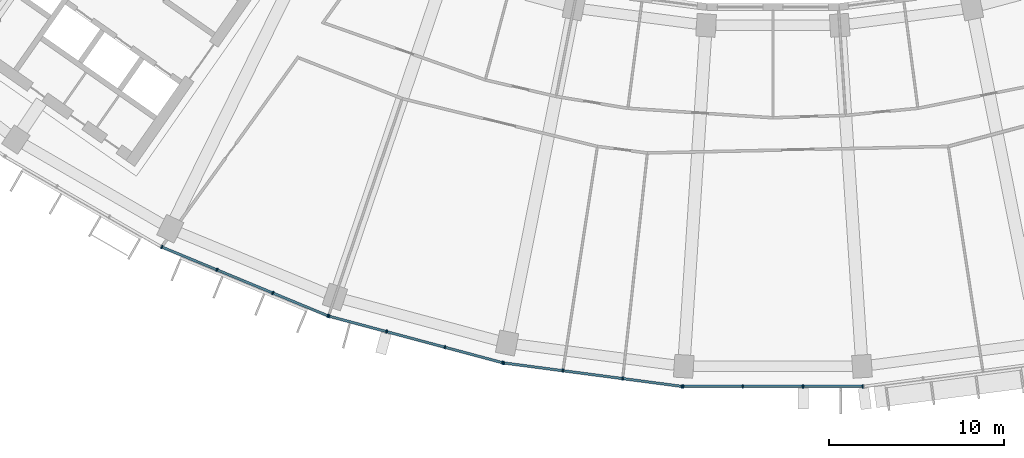
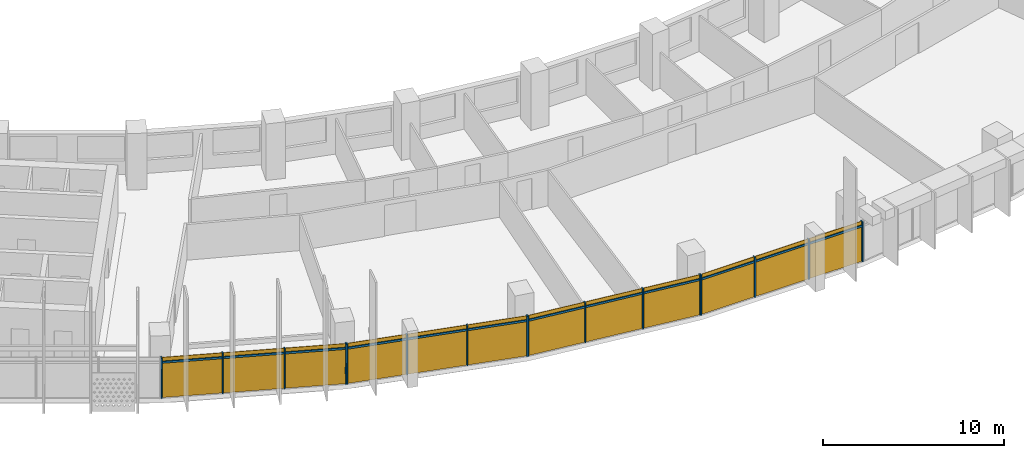
# One storey, part 20 of 27: 28 members, 4 curtain walls.
"""IFC4 building model written with IfcOpenShell, lengths in metres."""

from ifc_helpers import new_model, si_unit, direction, frame, origin, origin_2d, place, context, subcontext, project, spatial, rectangle, extrude, material, material_profile, profile_set, type_object, element, aggregate, save


model = new_model("IFC4")

# Units and contexts
model_context = context("Model", 3, precision=1e-05, world=origin(), true_north=direction((0.0, 1.0)))
body_context = subcontext(model_context, "Body", "Model", "MODEL_VIEW")
ifc_project = project(units=[si_unit("LENGTHUNIT", "METRE"), si_unit("AREAUNIT", "SQUARE_METRE"), si_unit("VOLUMEUNIT", "CUBIC_METRE"), si_unit("PLANEANGLEUNIT", "RADIAN"), si_unit("MASSUNIT", "GRAM", prefix="KILO")], contexts=[model_context])

# Member
ifc_material = material(Name="Aluminium 6063-T6 anodised", Category="aluminium")
ifc_material_profile_1 = material_profile(ifc_material, rectangle(XDim=0.199951171875, YDim=0.070068359375, at=origin_2d()))
ifc_profile_set_1 = profile_set([ifc_material_profile_1], Name="Aluminium 6063-T6 anodised")
member_type_1 = type_object("IfcMemberType", Name="Mullion 70 x 200 aluminium", PredefinedType="MULLION", material=ifc_profile_set_1)
site_placement = place(None, origin())
building_placement = place(site_placement, origin())
storey_placement = place(building_placement, frame((0.0, 0.0, 179.699951171875)))
member_1_placement = place(storey_placement, frame((-34.8701171875, -70.77392578125, 0.0), z_axis=(0.0, 0.0, 1.0), x_axis=(0.382683432365, 0.923879532511, 0.0)))
member_1 = element("IfcMember", 1, at=member_1_placement, type_object=member_type_1, Name="e-cw1-L42-out04/M00", PredefinedType="MULLION", context=body_context, shape_type="SweptSolid", body=[
    extrude(rectangle(XDim=0.199951171875, YDim=0.070068359375, at=origin_2d()), origin(), (0.0, 0.0, 1.0), 2.699951171875),
])

member_2_placement = place(storey_placement, frame((-31.72021484375, -72.078857421875, 0.0), z_axis=(0.0, 0.0, 1.0), x_axis=(0.382683432365, 0.923879532511, 0.0)))
member_2 = element("IfcMember", 2, at=member_2_placement, type_object=member_type_1, Name="e-cw1-L42-out04/M01", PredefinedType="MULLION", context=body_context, shape_type="SweptSolid", body=[
    extrude(rectangle(XDim=0.199951171875, YDim=0.070068359375, at=origin_2d()), origin(), (0.0, 0.0, 1.0), 2.699951171875),
])

member_3_placement = place(storey_placement, frame((-28.537841796875, -73.39697265625, 0.0), z_axis=(0.0, 0.0, 1.0), x_axis=(0.382683432365, 0.923879532511, 0.0)))
member_3 = element("IfcMember", 3, at=member_3_placement, type_object=member_type_1, Name="e-cw1-L42-out04/M02", PredefinedType="MULLION", context=body_context, shape_type="SweptSolid", body=[
    extrude(rectangle(XDim=0.199951171875, YDim=0.070068359375, at=origin_2d()), origin(), (0.0, 0.0, 1.0), 2.699951171875),
])

member_4_placement = place(storey_placement, frame((-25.3876953125, -74.70166015625, 0.0), z_axis=(0.0, 0.0, 1.0), x_axis=(0.382683432365, 0.923879532511, 0.0)))
member_4 = element("IfcMember", 4, at=member_4_placement, type_object=member_type_1, Name="e-cw1-L42-out04/M03", PredefinedType="MULLION", context=body_context, shape_type="SweptSolid", body=[
    extrude(rectangle(XDim=0.199951171875, YDim=0.070068359375, at=origin_2d()), origin(), (0.0, 0.0, 1.0), 2.699951171875),
])

member_5_placement = place(storey_placement, frame((-25.333984375, -74.719970703125, 0.0), z_axis=(0.0, 0.0, 1.0), x_axis=(0.258819045103, 0.965925826289, 0.0)))
member_5 = element("IfcMember", 5, at=member_5_placement, type_object=member_type_1, Name="e-cw1-L42-out05/M00", PredefinedType="MULLION", context=body_context, shape_type="SweptSolid", body=[
    extrude(rectangle(XDim=0.199951171875, YDim=0.070068359375, at=origin_2d()), origin(), (0.0, 0.0, 1.0), 2.699951171875),
])

member_6_placement = place(storey_placement, frame((-22.04052734375, -75.602294921875, 0.0), z_axis=(0.0, 0.0, 1.0), x_axis=(0.258819045103, 0.965925826289, 0.0)))
member_6 = element("IfcMember", 6, at=member_6_placement, type_object=member_type_1, Name="e-cw1-L42-out05/M01", PredefinedType="MULLION", context=body_context, shape_type="SweptSolid", body=[
    extrude(rectangle(XDim=0.199951171875, YDim=0.070068359375, at=origin_2d()), origin(), (0.0, 0.0, 1.0), 2.699951171875),
])

member_7_placement = place(storey_placement, frame((-18.71337890625, -76.493896484375, 0.0), z_axis=(0.0, 0.0, 1.0), x_axis=(0.258819045103, 0.965925826289, 0.0)))
member_7 = element("IfcMember", 7, at=member_7_placement, type_object=member_type_1, Name="e-cw1-L42-out05/M02", PredefinedType="MULLION", context=body_context, shape_type="SweptSolid", body=[
    extrude(rectangle(XDim=0.199951171875, YDim=0.070068359375, at=origin_2d()), origin(), (0.0, 0.0, 1.0), 2.699951171875),
])

member_8_placement = place(storey_placement, frame((-15.420166015625, -77.37646484375, 0.0), z_axis=(0.0, 0.0, 1.0), x_axis=(0.258819045103, 0.965925826289, 0.0)))
member_8 = element("IfcMember", 8, at=member_8_placement, type_object=member_type_1, Name="e-cw1-L42-out05/M03", PredefinedType="MULLION", context=body_context, shape_type="SweptSolid", body=[
    extrude(rectangle(XDim=0.199951171875, YDim=0.070068359375, at=origin_2d()), origin(), (0.0, 0.0, 1.0), 2.699951171875),
])

member_9_placement = place(storey_placement, frame((-15.364501953125, -77.387451171875, 0.0), z_axis=(0.0, 0.0, 1.0), x_axis=(0.13052619222, 0.991444861374, 0.0)))
member_9 = element("IfcMember", 9, at=member_9_placement, type_object=member_type_1, Name="e-cw1-L42-out06/M00", PredefinedType="MULLION", context=body_context, shape_type="SweptSolid", body=[
    extrude(rectangle(XDim=0.199951171875, YDim=0.070068359375, at=origin_2d()), origin(), (0.0, 0.0, 1.0), 2.699951171875),
])

member_10_placement = place(storey_placement, frame((-11.98388671875, -77.83251953125, 0.0), z_axis=(0.0, 0.0, 1.0), x_axis=(0.13052619222, 0.991444861374, 0.0)))
member_10 = element("IfcMember", 10, at=member_10_placement, type_object=member_type_1, Name="e-cw1-L42-out06/M01", PredefinedType="MULLION", context=body_context, shape_type="SweptSolid", body=[
    extrude(rectangle(XDim=0.199951171875, YDim=0.070068359375, at=origin_2d()), origin(), (0.0, 0.0, 1.0), 2.699951171875),
])

member_11_placement = place(storey_placement, frame((-8.56884765625, -78.2822265625, 0.0), z_axis=(0.0, 0.0, 1.0), x_axis=(0.13052619222, 0.991444861374, 0.0)))
member_11 = element("IfcMember", 11, at=member_11_placement, type_object=member_type_1, Name="e-cw1-L42-out06/M02", PredefinedType="MULLION", context=body_context, shape_type="SweptSolid", body=[
    extrude(rectangle(XDim=0.199951171875, YDim=0.070068359375, at=origin_2d()), origin(), (0.0, 0.0, 1.0), 2.699951171875),
])

member_12_placement = place(storey_placement, frame((-5.1884765625, -78.72705078125, 0.0), z_axis=(0.0, 0.0, 1.0), x_axis=(0.13052619222, 0.991444861374, 0.0)))
member_12 = element("IfcMember", 12, at=member_12_placement, type_object=member_type_1, Name="e-cw1-L42-out06/M03", PredefinedType="MULLION", context=body_context, shape_type="SweptSolid", body=[
    extrude(rectangle(XDim=0.199951171875, YDim=0.070068359375, at=origin_2d()), origin(), (0.0, 0.0, 1.0), 2.699951171875),
])

member_13_placement = place(storey_placement, frame((-5.1318359375, -78.73095703125, 0.0), z_axis=(0.0, 0.0, 1.0), x_axis=(0.0, 1.0, 0.0)))
member_13 = element("IfcMember", 13, at=member_13_placement, type_object=member_type_1, Name="e-cw1-L42-out07/M00", PredefinedType="MULLION", context=body_context, shape_type="SweptSolid", body=[
    extrude(rectangle(XDim=0.199951171875, YDim=0.070068359375, at=origin_2d()), origin(), (0.0, 0.0, 1.0), 2.699951171875),
])

member_14_placement = place(storey_placement, frame((-1.72216796875, -78.73095703125, 0.0), z_axis=(0.0, 0.0, 1.0), x_axis=(0.0, 1.0, 0.0)))
member_14 = element("IfcMember", 14, at=member_14_placement, type_object=member_type_1, Name="e-cw1-L42-out07/M01", PredefinedType="MULLION", context=body_context, shape_type="SweptSolid", body=[
    extrude(rectangle(XDim=0.199951171875, YDim=0.070068359375, at=origin_2d()), origin(), (0.0, 0.0, 1.0), 2.699951171875),
])

member_15_placement = place(storey_placement, frame((1.72216796875, -78.73095703125, 0.0), z_axis=(0.0, 0.0, 1.0), x_axis=(0.0, 1.0, 0.0)))
member_15 = element("IfcMember", 15, at=member_15_placement, type_object=member_type_1, Name="e-cw1-L42-out07/M02", PredefinedType="MULLION", context=body_context, shape_type="SweptSolid", body=[
    extrude(rectangle(XDim=0.199951171875, YDim=0.070068359375, at=origin_2d()), origin(), (0.0, 0.0, 1.0), 2.699951171875),
])

member_16_placement = place(storey_placement, frame((5.1318359375, -78.73095703125, 0.0), z_axis=(0.0, 0.0, 1.0), x_axis=(0.0, 1.0, 0.0)))
member_16 = element("IfcMember", 16, at=member_16_placement, type_object=member_type_1, Name="e-cw1-L42-out07/M03", PredefinedType="MULLION", context=body_context, shape_type="SweptSolid", body=[
    extrude(rectangle(XDim=0.199951171875, YDim=0.070068359375, at=origin_2d()), origin(), (0.0, 0.0, 1.0), 2.699951171875),
])

ifc_material_profile_2 = material_profile(ifc_material, rectangle(XDim=0.139892578125, YDim=0.1201171875, at=origin_2d()))
ifc_profile_set_2 = profile_set([ifc_material_profile_2], Name="Aluminium 6063-T6 anodised")
member_type_2 = type_object("IfcMemberType", Name="Transom 120 x 140 aluminium", PredefinedType="USERDEFINED", material=ifc_profile_set_2)
member_17_placement = place(storey_placement, frame((-34.837890625, -70.787353515625, 2.400146484375), z_axis=(0.923875164544, -0.382693977401, 0.0), x_axis=(0.382693977401, 0.923875164544, 0.0)))
member_17 = element("IfcMember", 17, at=member_17_placement, type_object=member_type_2, Name="e-cw1-L42-out04/T00", ObjectType="TRANSOM", PredefinedType="USERDEFINED", context=body_context, shape_type="SweptSolid", body=[
    extrude(rectangle(XDim=0.139892578125, YDim=0.1201171875, at=origin_2d()), origin(), (0.0, 0.0, 1.0), 3.339599609375),
])

member_18_placement = place(storey_placement, frame((-31.687744140625, -72.092041015625, 2.400146484375), z_axis=(0.923866926753, -0.382713863941, 0.0), x_axis=(0.382713863941, 0.923866926753, 0.0)))
member_18 = element("IfcMember", 18, at=member_18_placement, type_object=member_type_2, Name="e-cw1-L42-out04/T01", ObjectType="TRANSOM", PredefinedType="USERDEFINED", context=body_context, shape_type="SweptSolid", body=[
    extrude(rectangle(XDim=0.139892578125, YDim=0.1201171875, at=origin_2d()), origin(), (0.0, 0.0, 1.0), 3.37451171875),
])

member_19_placement = place(storey_placement, frame((-28.50537109375, -73.410400390625, 2.400146484375), z_axis=(0.923890305385, -0.382657423311, 0.0), x_axis=(0.382657423311, 0.923890305385, 0.0)))
member_19 = element("IfcMember", 19, at=member_19_placement, type_object=member_type_2, Name="e-cw1-L42-out04/T02", ObjectType="TRANSOM", PredefinedType="USERDEFINED", context=body_context, shape_type="SweptSolid", body=[
    extrude(rectangle(XDim=0.139892578125, YDim=0.1201171875, at=origin_2d()), origin(), (0.0, 0.0, 1.0), 3.33935546875),
])

member_20_placement = place(storey_placement, frame((-25.30029296875, -74.72900390625, 2.400146484375), z_axis=(0.965933368091, -0.258790897074, 0.0), x_axis=(0.258790897074, 0.965933368091, 0.0)))
member_20 = element("IfcMember", 20, at=member_20_placement, type_object=member_type_2, Name="e-cw1-L42-out05/T00", ObjectType="TRANSOM", PredefinedType="USERDEFINED", context=body_context, shape_type="SweptSolid", body=[
    extrude(rectangle(XDim=0.139892578125, YDim=0.1201171875, at=origin_2d()), origin(), (0.0, 0.0, 1.0), 3.339599609375),
])

member_21_placement = place(storey_placement, frame((-22.0068359375, -75.611572265625, 2.400146484375), z_axis=(0.965932873966, -0.258792741381, 0.0), x_axis=(0.258792741381, 0.965932873966, 0.0)))
member_21 = element("IfcMember", 21, at=member_21_placement, type_object=member_type_2, Name="e-cw1-L42-out05/T01", ObjectType="TRANSOM", PredefinedType="USERDEFINED", context=body_context, shape_type="SweptSolid", body=[
    extrude(rectangle(XDim=0.139892578125, YDim=0.1201171875, at=origin_2d()), origin(), (0.0, 0.0, 1.0), 3.37451171875),
])

member_22_placement = place(storey_placement, frame((-18.6796875, -76.5029296875, 2.400146484375), z_axis=(0.96591509168, -0.258859103886, 0.0), x_axis=(0.258859103886, 0.96591509168, 0.0)))
member_22 = element("IfcMember", 22, at=member_22_placement, type_object=member_type_2, Name="e-cw1-L42-out05/T02", ObjectType="TRANSOM", PredefinedType="USERDEFINED", context=body_context, shape_type="SweptSolid", body=[
    extrude(rectangle(XDim=0.139892578125, YDim=0.1201171875, at=origin_2d()), origin(), (0.0, 0.0, 1.0), 3.339599609375),
])

member_23_placement = place(storey_placement, frame((-15.32958984375, -77.39208984375, 2.400146484375), z_axis=(0.991448073325, -0.130501792706, 0.0), x_axis=(0.130501792706, 0.991448073325, 0.0)))
member_23 = element("IfcMember", 23, at=member_23_placement, type_object=member_type_2, Name="e-cw1-L42-out06/T00", ObjectType="TRANSOM", PredefinedType="USERDEFINED", context=body_context, shape_type="SweptSolid", body=[
    extrude(rectangle(XDim=0.139892578125, YDim=0.1201171875, at=origin_2d()), origin(), (0.0, 0.0, 1.0), 3.33935546875),
])

member_24_placement = place(storey_placement, frame((-11.94921875, -77.837158203125, 2.400146484375), z_axis=(0.991446413845, -0.130514399487, 0.0), x_axis=(0.130514399487, 0.991446413845, 0.0)))
member_24 = element("IfcMember", 24, at=member_24_placement, type_object=member_type_2, Name="e-cw1-L42-out06/T01", ObjectType="TRANSOM", PredefinedType="USERDEFINED", context=body_context, shape_type="SweptSolid", body=[
    extrude(rectangle(XDim=0.139892578125, YDim=0.1201171875, at=origin_2d()), origin(), (0.0, 0.0, 1.0), 3.37451171875),
])

member_25_placement = place(storey_placement, frame((-8.5341796875, -78.28662109375, 2.400146484375), z_axis=(0.991439857731, -0.130564193033, 0.0), x_axis=(0.130564193033, 0.991439857731, 0.0)))
member_25 = element("IfcMember", 25, at=member_25_placement, type_object=member_type_2, Name="e-cw1-L42-out06/T02", ObjectType="TRANSOM", PredefinedType="USERDEFINED", context=body_context, shape_type="SweptSolid", body=[
    extrude(rectangle(XDim=0.139892578125, YDim=0.1201171875, at=origin_2d()), origin(), (0.0, 0.0, 1.0), 3.339599609375),
])

member_26_placement = place(storey_placement, frame((-5.096923828125, -78.73095703125, 2.400146484375), z_axis=(1.0, 0.0, 0.0), x_axis=(0.0, 1.0, 0.0)))
member_26 = element("IfcMember", 26, at=member_26_placement, type_object=member_type_2, Name="e-cw1-L42-out07/T00", ObjectType="TRANSOM", PredefinedType="USERDEFINED", context=body_context, shape_type="SweptSolid", body=[
    extrude(rectangle(XDim=0.139892578125, YDim=0.1201171875, at=origin_2d()), origin(), (0.0, 0.0, 1.0), 3.339599609375),
])

member_27_placement = place(storey_placement, frame((-1.687255859375, -78.73095703125, 2.400146484375), z_axis=(1.0, 0.0, 0.0), x_axis=(0.0, 1.0, 0.0)))
member_27 = element("IfcMember", 27, at=member_27_placement, type_object=member_type_2, Name="e-cw1-L42-out07/T01", ObjectType="TRANSOM", PredefinedType="USERDEFINED", context=body_context, shape_type="SweptSolid", body=[
    extrude(rectangle(XDim=0.139892578125, YDim=0.1201171875, at=origin_2d()), origin(), (0.0, 0.0, 1.0), 3.37451171875),
])

member_28_placement = place(storey_placement, frame((1.75732421875, -78.73095703125, 2.400146484375), z_axis=(1.0, 0.0, 0.0), x_axis=(0.0, 1.0, 0.0)))
member_28 = element("IfcMember", 28, at=member_28_placement, type_object=member_type_2, Name="e-cw1-L42-out07/T02", ObjectType="TRANSOM", PredefinedType="USERDEFINED", context=body_context, shape_type="SweptSolid", body=[
    extrude(rectangle(XDim=0.139892578125, YDim=0.1201171875, at=origin_2d()), origin(), (0.0, 0.0, 1.0), 3.339599609375),
])

# Site, building, storey
site = spatial("IfcSite", under=ifc_project, at=site_placement, CompositionType="ELEMENT")
building = spatial("IfcBuilding", under=site, at=building_placement, Name="Qamariyya Broadcast Tower", CompositionType="ELEMENT")
storey = spatial("IfcBuildingStorey", under=building, at=storey_placement, Name="L42", CompositionType="ELEMENT", Elevation=179.699951171875)

# Curtain wall
curtain_wall_type = type_object("IfcCurtainWallType", Name="Unitised curtain wall, anodised aluminium", PredefinedType="NOTDEFINED", material=ifc_material)
curtain_wall_1_placement = place(storey_placement, origin())
curtain_wall_1 = element("IfcCurtainWall", 29, at=curtain_wall_1_placement, inside=storey, type_object=curtain_wall_type, Name="e-cw1-L42-out04", PredefinedType="NOTDEFINED", context=body_context, shape_type="SweptSolid", body=[
    extrude(rectangle(XDim=3.339599609375, YDim=0.031982421875, at=origin_2d()), frame((-33.295166015625, -71.42626953125, 0.0), x_axis=(0.923878040314, -0.382687034829, 0.0)), (0.0, 0.0, 1.0), 2.340087890625),
    extrude(rectangle(XDim=3.339599609375, YDim=0.031982421875, at=origin_2d()), frame((-33.295166015625, -71.42626953125, 2.4599609375), x_axis=(0.923878040314, -0.382687034829, 0.0)), (0.0, 0.0, 1.0), 0.239990234375),
    extrude(rectangle(XDim=3.37451171875, YDim=0.031982421875, at=origin_2d()), frame((-30.12890625, -72.73779296875, 0.0), x_axis=(0.923878040314, -0.382687034829, 0.0)), (0.0, 0.0, 1.0), 2.340087890625),
    extrude(rectangle(XDim=3.37451171875, YDim=0.031982421875, at=origin_2d()), frame((-30.12890625, -72.73779296875, 2.4599609375), x_axis=(0.923878040314, -0.382687034829, 0.0)), (0.0, 0.0, 1.0), 0.239990234375),
    extrude(rectangle(XDim=3.339599609375, YDim=0.031982421875, at=origin_2d()), frame((-26.962890625, -74.04931640625, 0.0), x_axis=(0.923878040314, -0.382687034829, 0.0)), (0.0, 0.0, 1.0), 2.340087890625),
    extrude(rectangle(XDim=3.339599609375, YDim=0.031982421875, at=origin_2d()), frame((-26.962890625, -74.04931640625, 2.4599609375), x_axis=(0.923878040314, -0.382687034829, 0.0)), (0.0, 0.0, 1.0), 0.239990234375),
])

aggregate(curtain_wall_1, [member_1, member_2, member_3, member_4, member_17, member_18, member_19])

curtain_wall_2_placement = place(storey_placement, origin())
curtain_wall_2 = element("IfcCurtainWall", 30, at=curtain_wall_2_placement, inside=storey, type_object=curtain_wall_type, Name="e-cw1-L42-out05", PredefinedType="NOTDEFINED", context=body_context, shape_type="SweptSolid", body=[
    extrude(rectangle(XDim=3.339599609375, YDim=0.031982421875, at=origin_2d()), frame((-23.6875, -75.1611328125, 0.0), x_axis=(0.965926433062, -0.258816780584, 0.0)), (0.0, 0.0, 1.0), 2.340087890625),
    extrude(rectangle(XDim=3.339599609375, YDim=0.031982421875, at=origin_2d()), frame((-23.6875, -75.1611328125, 2.4599609375), x_axis=(0.965926433062, -0.258816780584, 0.0)), (0.0, 0.0, 1.0), 0.239990234375),
    extrude(rectangle(XDim=3.37451171875, YDim=0.031982421875, at=origin_2d()), frame((-20.376953125, -76.04833984375, 0.0), x_axis=(0.965926433062, -0.258816780584, 0.0)), (0.0, 0.0, 1.0), 2.340087890625),
    extrude(rectangle(XDim=3.37451171875, YDim=0.031982421875, at=origin_2d()), frame((-20.376953125, -76.04833984375, 2.4599609375), x_axis=(0.965926433062, -0.258816780584, 0.0)), (0.0, 0.0, 1.0), 0.239990234375),
    extrude(rectangle(XDim=3.339599609375, YDim=0.031982421875, at=origin_2d()), frame((-17.066650390625, -76.935302734375, 0.0), x_axis=(0.965926433062, -0.258816780584, 0.0)), (0.0, 0.0, 1.0), 2.340087890625),
    extrude(rectangle(XDim=3.339599609375, YDim=0.031982421875, at=origin_2d()), frame((-17.066650390625, -76.935302734375, 2.4599609375), x_axis=(0.965926433062, -0.258816780584, 0.0)), (0.0, 0.0, 1.0), 0.239990234375),
])

aggregate(curtain_wall_2, [member_5, member_6, member_7, member_8, member_20, member_21, member_22])

curtain_wall_3_placement = place(storey_placement, origin())
curtain_wall_3 = element("IfcCurtainWall", 31, at=curtain_wall_3_placement, inside=storey, type_object=curtain_wall_type, Name="e-cw1-L42-out06", PredefinedType="NOTDEFINED", context=body_context, shape_type="SweptSolid", body=[
    extrude(rectangle(XDim=3.339599609375, YDim=0.031982421875, at=origin_2d()), frame((-13.67431640625, -77.60986328125, 0.0), x_axis=(0.991444240905, -0.130530905064, 0.0)), (0.0, 0.0, 1.0), 2.340087890625),
    extrude(rectangle(XDim=3.339599609375, YDim=0.031982421875, at=origin_2d()), frame((-13.67431640625, -77.60986328125, 2.4599609375), x_axis=(0.991444240905, -0.130530905064, 0.0)), (0.0, 0.0, 1.0), 0.239990234375),
    extrude(rectangle(XDim=3.37451171875, YDim=0.031982421875, at=origin_2d()), frame((-10.2763671875, -78.05712890625, 0.0), x_axis=(0.991444240905, -0.130530905064, 0.0)), (0.0, 0.0, 1.0), 2.340087890625),
    extrude(rectangle(XDim=3.37451171875, YDim=0.031982421875, at=origin_2d()), frame((-10.2763671875, -78.05712890625, 2.4599609375), x_axis=(0.991444240905, -0.130530905064, 0.0)), (0.0, 0.0, 1.0), 0.239990234375),
    extrude(rectangle(XDim=3.339599609375, YDim=0.031982421875, at=origin_2d()), frame((-6.878662109375, -78.504638671875, 0.0), x_axis=(0.991444240905, -0.130530905064, 0.0)), (0.0, 0.0, 1.0), 2.340087890625),
    extrude(rectangle(XDim=3.339599609375, YDim=0.031982421875, at=origin_2d()), frame((-6.878662109375, -78.504638671875, 2.4599609375), x_axis=(0.991444240905, -0.130530905064, 0.0)), (0.0, 0.0, 1.0), 0.239990234375),
])

aggregate(curtain_wall_3, [member_9, member_10, member_11, member_12, member_23, member_24, member_25])

curtain_wall_4_placement = place(storey_placement, origin())
curtain_wall_4 = element("IfcCurtainWall", 32, at=curtain_wall_4_placement, inside=storey, type_object=curtain_wall_type, Name="e-cw1-L42-out07", PredefinedType="NOTDEFINED", context=body_context, shape_type="SweptSolid", body=[
    extrude(rectangle(XDim=3.339599609375, YDim=0.031982421875, at=origin_2d()), frame((-3.427001953125, -78.73095703125, 0.0), x_axis=(1.0, 0.0, 0.0)), (0.0, 0.0, 1.0), 2.340087890625),
    extrude(rectangle(XDim=3.339599609375, YDim=0.031982421875, at=origin_2d()), frame((-3.427001953125, -78.73095703125, 2.4599609375), x_axis=(1.0, 0.0, 0.0)), (0.0, 0.0, 1.0), 0.239990234375),
    extrude(rectangle(XDim=3.37451171875, YDim=0.031982421875, at=origin_2d()), frame((0.0, -78.73095703125, 0.0), x_axis=(1.0, 0.0, 0.0)), (0.0, 0.0, 1.0), 2.340087890625),
    extrude(rectangle(XDim=3.37451171875, YDim=0.031982421875, at=origin_2d()), frame((0.0, -78.73095703125, 2.4599609375), x_axis=(1.0, 0.0, 0.0)), (0.0, 0.0, 1.0), 0.239990234375),
    extrude(rectangle(XDim=3.339599609375, YDim=0.031982421875, at=origin_2d()), frame((3.427001953125, -78.73095703125, 0.0), x_axis=(1.0, 0.0, 0.0)), (0.0, 0.0, 1.0), 2.340087890625),
    extrude(rectangle(XDim=3.339599609375, YDim=0.031982421875, at=origin_2d()), frame((3.427001953125, -78.73095703125, 2.4599609375), x_axis=(1.0, 0.0, 0.0)), (0.0, 0.0, 1.0), 0.239990234375),
])

aggregate(curtain_wall_4, [member_13, member_14, member_15, member_16, member_26, member_27, member_28])

save(model, "model.ifc")
